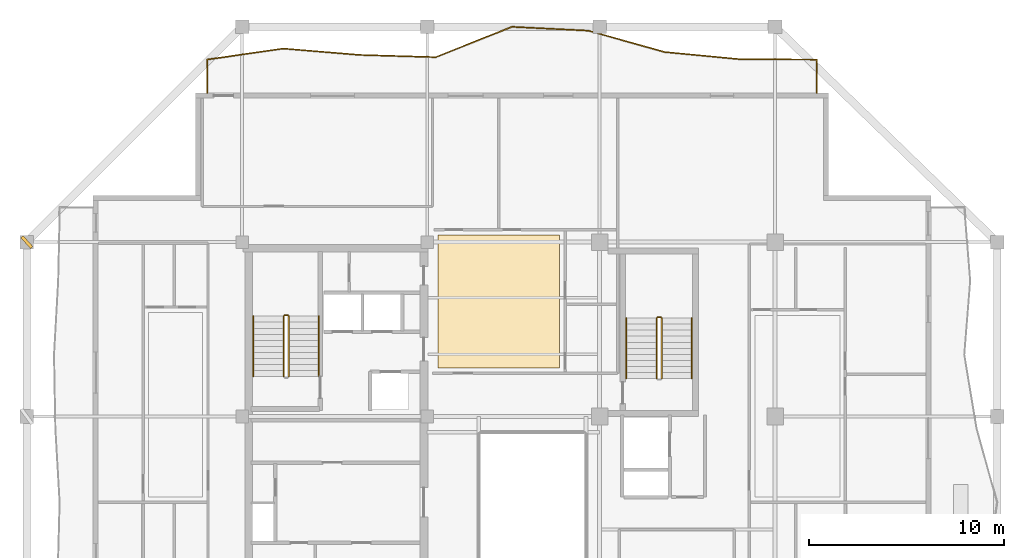
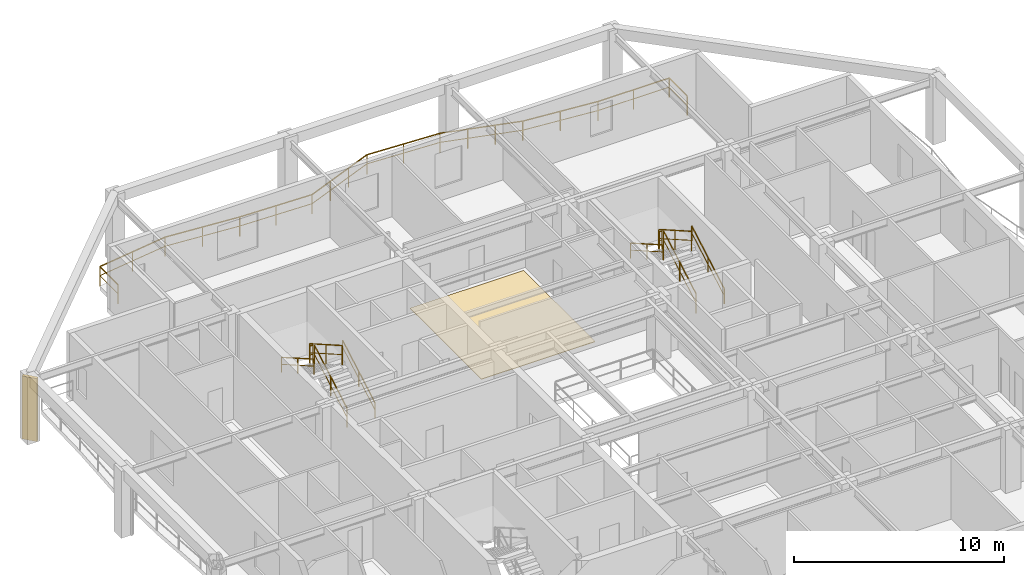
# One storey, part 10 of 11: 11 railings, 1 covering, 1 shading device.
"""IFC4 building model written with IfcOpenShell, lengths in metres."""

from ifc_helpers import new_model, si_unit, direction, frame, origin, origin_2d, place, context, subcontext, project, spatial, polyline, rectangle, outline, extrude, material, layer, layer_set, type_object, element, save


model = new_model("IFC4")

# Units and contexts
model_context = context("Model", 3, precision=1e-05, world=origin(), true_north=direction((0.0, 1.0)))
body_context = subcontext(model_context, "Body", "Model", "MODEL_VIEW")
ifc_project = project(units=[si_unit("LENGTHUNIT", "METRE"), si_unit("AREAUNIT", "SQUARE_METRE"), si_unit("VOLUMEUNIT", "CUBIC_METRE"), si_unit("PLANEANGLEUNIT", "RADIAN"), si_unit("MASSUNIT", "GRAM", prefix="KILO")], contexts=[model_context])

# Site, building, storey
site_placement = place(None, origin())
site = spatial("IfcSite", under=ifc_project, at=site_placement, CompositionType="ELEMENT")
building_placement = place(site_placement, origin())
building = spatial("IfcBuilding", under=site, at=building_placement, Name="Kundavana Baori Tower", CompositionType="ELEMENT")
storey_placement = place(building_placement, frame((0.0, 0.0, 218.0)))
storey = spatial("IfcBuildingStorey", under=building, at=storey_placement, Name="L53", CompositionType="ELEMENT", Elevation=218.0)

# Covering
ifc_material_1 = material(Name="Honed Kota Stone and Terrazzo Flooring", Category="masonry")
ifc_layer = layer(ifc_material_1, 0.030029296875, Name="COV-INT-FLR")
ifc_layer_set = layer_set([ifc_layer], Name="Honed Kota Stone and Terrazzo Flooring")
covering_type = type_object("IfcCoveringType", Name="COV-INT-FLR", PredefinedType="FLOORING", material=ifc_layer_set)
covering_placement = place(storey_placement, origin())
element("IfcCovering", 1, at=covering_placement, inside=storey, type_object=covering_type, Name="L53 Room Finished Stone Flooring 4", PredefinedType="FLOORING", context=body_context, shape_type="SweptSolid", body=[
    extrude(outline(polyline([(25.5, 35.5), (31.75, 35.5), (31.75, 42.31005859375), (25.5, 42.31005859375), (25.5, 35.5)])), origin(), (0.0, 0.0, 1.0), 0.030029296875),
])

# Railings
ifc_material_2 = material(Name="Architectural Patinated Bronze Metalwork")
railing_type_1 = type_object("IfcRailingType", Name="RL-BAL-1150", PredefinedType="BALUSTRADE", material=ifc_material_2)
railing_1_placement = place(storey_placement, frame((13.64990234375, 49.60009765625, 0.0)))
element("IfcRailing", 2, at=railing_1_placement, inside=storey, type_object=railing_type_1, Name="L53 Loggia Balcony Balustrade N", PredefinedType="BALUSTRADE", context=body_context, shape_type="SweptSolid", body=[
    extrude(rectangle(XDim=0.048095703125, YDim=0.048095703125, at=origin_2d()), frame((0.0, 0.0, 1.1259765625), z_axis=(0.0, 1.0, 0.0), x_axis=(-1.0, 0.0, 0.0)), (0.0, 0.0, 1.0), 1.719970703125),
    extrude(rectangle(XDim=0.03125, YDim=0.03125, at=origin_2d()), frame((0.0, 0.0, 0.597900390625), z_axis=(0.0, 1.0, 0.0), x_axis=(-1.0, 0.0, 0.0)), (0.0, 0.0, 1.0), 1.719970703125),
    extrude(rectangle(XDim=0.048095703125, YDim=0.048095703125, at=origin_2d()), frame((0.0, 1.719970703125, 1.1259765625), z_axis=(0.989768326395, 0.142683776459, 0.0), x_axis=(-0.142683776459, 0.989768326395, 0.0)), (0.0, 0.0, 1.0), 3.95263671875),
    extrude(rectangle(XDim=0.03125, YDim=0.03125, at=origin_2d()), frame((0.0, 1.719970703125, 0.597900390625), z_axis=(0.989768326395, 0.142683776459, 0.0), x_axis=(-0.142683776459, 0.989768326395, 0.0)), (0.0, 0.0, 1.0), 3.95263671875),
    extrude(rectangle(XDim=0.048095703125, YDim=0.048095703125, at=origin_2d()), frame((3.912109375, 2.283935546875, 1.1259765625), z_axis=(0.996549187768, -0.083004315303, 0.0), x_axis=(0.083004315303, 0.996549187768, 0.0)), (0.0, 0.0, 1.0), 3.9267578125),
    extrude(rectangle(XDim=0.03125, YDim=0.03125, at=origin_2d()), frame((3.912109375, 2.283935546875, 0.597900390625), z_axis=(0.996549187768, -0.083004315303, 0.0), x_axis=(0.083004315303, 0.996549187768, 0.0)), (0.0, 0.0, 1.0), 3.9267578125),
    extrude(rectangle(XDim=0.048095703125, YDim=0.048095703125, at=origin_2d()), frame((7.8251953125, 1.9580078125, 1.1259765625), z_axis=(0.999568454942, -0.029375225699, 0.0), x_axis=(0.029375225699, 0.999568454942, 0.0)), (0.0, 0.0, 1.0), 3.91455078125),
    extrude(rectangle(XDim=0.03125, YDim=0.03125, at=origin_2d()), frame((7.8251953125, 1.9580078125, 0.597900390625), z_axis=(0.999568454942, -0.029375225699, 0.0), x_axis=(0.029375225699, 0.999568454942, 0.0)), (0.0, 0.0, 1.0), 3.91455078125),
    extrude(rectangle(XDim=0.048095703125, YDim=0.048095703125, at=origin_2d()), frame((11.738037109375, 1.843017578125, 1.1259765625), z_axis=(0.929127075061, 0.369760569001, 0.0), x_axis=(-0.369760569001, 0.929127075061, 0.0)), (0.0, 0.0, 1.0), 4.21044921875),
    extrude(rectangle(XDim=0.03125, YDim=0.03125, at=origin_2d()), frame((11.738037109375, 1.843017578125, 0.597900390625), z_axis=(0.929127075061, 0.369760569001, 0.0), x_axis=(-0.369760569001, 0.929127075061, 0.0)), (0.0, 0.0, 1.0), 4.21044921875),
    extrude(rectangle(XDim=0.048095703125, YDim=0.048095703125, at=origin_2d()), frame((15.650146484375, 3.39990234375, 1.1259765625), z_axis=(0.998734716826, -0.050288819896, 0.0), x_axis=(0.050288819896, 0.998734716826, 0.0)), (0.0, 0.0, 1.0), 3.917724609375),
    extrude(rectangle(XDim=0.03125, YDim=0.03125, at=origin_2d()), frame((15.650146484375, 3.39990234375, 0.597900390625), z_axis=(0.998734716826, -0.050288819896, 0.0), x_axis=(0.050288819896, 0.998734716826, 0.0)), (0.0, 0.0, 1.0), 3.917724609375),
    extrude(rectangle(XDim=0.048095703125, YDim=0.048095703125, at=origin_2d()), frame((19.56298828125, 3.202880859375, 1.1259765625), z_axis=(0.962990853418, -0.26953407249, 0.0), x_axis=(0.26953407249, 0.962990853418, 0.0)), (0.0, 0.0, 1.0), 4.0625),
    extrude(rectangle(XDim=0.03125, YDim=0.03125, at=origin_2d()), frame((19.56298828125, 3.202880859375, 0.597900390625), z_axis=(0.962990853418, -0.26953407249, 0.0), x_axis=(0.26953407249, 0.962990853418, 0.0)), (0.0, 0.0, 1.0), 4.0625),
    extrude(rectangle(XDim=0.048095703125, YDim=0.048095703125, at=origin_2d()), frame((23.47509765625, 2.10791015625, 1.1259765625), z_axis=(0.995439474147, -0.095395247834, 0.0), x_axis=(0.095395247834, 0.995439474147, 0.0)), (0.0, 0.0, 1.0), 3.930908203125),
    extrude(rectangle(XDim=0.03125, YDim=0.03125, at=origin_2d()), frame((23.47509765625, 2.10791015625, 0.597900390625), z_axis=(0.995439474147, -0.095395247834, 0.0), x_axis=(0.095395247834, 0.995439474147, 0.0)), (0.0, 0.0, 1.0), 3.930908203125),
    extrude(rectangle(XDim=0.048095703125, YDim=0.048095703125, at=origin_2d()), frame((27.38818359375, 1.73291015625, 1.1259765625), z_axis=(0.999994529456, -0.003307727021, 0.0), x_axis=(0.003307727021, 0.999994529456, 0.0)), (0.0, 0.0, 1.0), 3.911865234375),
    extrude(rectangle(XDim=0.03125, YDim=0.03125, at=origin_2d()), frame((27.38818359375, 1.73291015625, 0.597900390625), z_axis=(0.999994529456, -0.003307727021, 0.0), x_axis=(0.003307727021, 0.999994529456, 0.0)), (0.0, 0.0, 1.0), 3.911865234375),
    extrude(rectangle(XDim=0.048095703125, YDim=0.048095703125, at=origin_2d()), frame((31.300048828125, 1.719970703125, 1.1259765625), z_axis=(0.0, -1.0, 0.0), x_axis=(1.0, 0.0, 0.0)), (0.0, 0.0, 1.0), 1.719970703125),
    extrude(rectangle(XDim=0.03125, YDim=0.03125, at=origin_2d()), frame((31.300048828125, 1.719970703125, 0.597900390625), z_axis=(0.0, -1.0, 0.0), x_axis=(1.0, 0.0, 0.0)), (0.0, 0.0, 1.0), 1.719970703125),
    extrude(rectangle(XDim=0.0419921875, YDim=0.0419921875, at=origin_2d()), origin(), (0.0, 0.0, 1.0), 1.101806640625),
    extrude(rectangle(XDim=0.0419921875, YDim=0.0419921875, at=origin_2d()), frame((0.0, 1.719970703125, 0.0)), (0.0, 0.0, 1.0), 1.101806640625),
    extrude(rectangle(XDim=0.0419921875, YDim=0.0419921875, at=origin_2d()), frame((1.9560546875, 2.001953125, 0.0)), (0.0, 0.0, 1.0), 1.101806640625),
    extrude(rectangle(XDim=0.0419921875, YDim=0.0419921875, at=origin_2d()), frame((3.912109375, 2.283935546875, 0.0)), (0.0, 0.0, 1.0), 1.101806640625),
    extrude(rectangle(XDim=0.0419921875, YDim=0.0419921875, at=origin_2d()), frame((5.86865234375, 2.12109375, 0.0)), (0.0, 0.0, 1.0), 1.101806640625),
    extrude(rectangle(XDim=0.0419921875, YDim=0.0419921875, at=origin_2d()), frame((7.8251953125, 1.9580078125, 0.0)), (0.0, 0.0, 1.0), 1.101806640625),
    extrude(rectangle(XDim=0.0419921875, YDim=0.0419921875, at=origin_2d()), frame((9.78173828125, 1.900390625, 0.0)), (0.0, 0.0, 1.0), 1.101806640625),
    extrude(rectangle(XDim=0.0419921875, YDim=0.0419921875, at=origin_2d()), frame((11.738037109375, 1.843017578125, 0.0)), (0.0, 0.0, 1.0), 1.101806640625),
    extrude(rectangle(XDim=0.0419921875, YDim=0.0419921875, at=origin_2d()), frame((13.0419921875, 2.362060546875, 0.0)), (0.0, 0.0, 1.0), 1.101806640625),
    extrude(rectangle(XDim=0.0419921875, YDim=0.0419921875, at=origin_2d()), frame((14.34619140625, 2.880859375, 0.0)), (0.0, 0.0, 1.0), 1.101806640625),
    extrude(rectangle(XDim=0.0419921875, YDim=0.0419921875, at=origin_2d()), frame((15.650146484375, 3.39990234375, 0.0)), (0.0, 0.0, 1.0), 1.101806640625),
    extrude(rectangle(XDim=0.0419921875, YDim=0.0419921875, at=origin_2d()), frame((17.6064453125, 3.30126953125, 0.0)), (0.0, 0.0, 1.0), 1.101806640625),
    extrude(rectangle(XDim=0.0419921875, YDim=0.0419921875, at=origin_2d()), frame((19.56298828125, 3.202880859375, 0.0)), (0.0, 0.0, 1.0), 1.101806640625),
    extrude(rectangle(XDim=0.0419921875, YDim=0.0419921875, at=origin_2d()), frame((20.866943359375, 2.837890625, 0.0)), (0.0, 0.0, 1.0), 1.101806640625),
    extrude(rectangle(XDim=0.0419921875, YDim=0.0419921875, at=origin_2d()), frame((22.171142578125, 2.472900390625, 0.0)), (0.0, 0.0, 1.0), 1.101806640625),
    extrude(rectangle(XDim=0.0419921875, YDim=0.0419921875, at=origin_2d()), frame((23.47509765625, 2.10791015625, 0.0)), (0.0, 0.0, 1.0), 1.101806640625),
    extrude(rectangle(XDim=0.0419921875, YDim=0.0419921875, at=origin_2d()), frame((25.431640625, 1.92041015625, 0.0)), (0.0, 0.0, 1.0), 1.101806640625),
    extrude(rectangle(XDim=0.0419921875, YDim=0.0419921875, at=origin_2d()), frame((27.38818359375, 1.73291015625, 0.0)), (0.0, 0.0, 1.0), 1.101806640625),
    extrude(rectangle(XDim=0.0419921875, YDim=0.0419921875, at=origin_2d()), frame((29.34423828125, 1.7265625, 0.0)), (0.0, 0.0, 1.0), 1.101806640625),
    extrude(rectangle(XDim=0.0419921875, YDim=0.0419921875, at=origin_2d()), frame((31.300048828125, 1.719970703125, 0.0)), (0.0, 0.0, 1.0), 1.101806640625),
    extrude(rectangle(XDim=0.0419921875, YDim=0.0419921875, at=origin_2d()), frame((31.300048828125, 0.0, 0.0)), (0.0, 0.0, 1.0), 1.101806640625),
])
ifc_material_3 = material(Name="Architectural Patinated Bronze Metalwork")
railing_type_2 = type_object("IfcRailingType", Name="RL-GRD-1150", PredefinedType="GUARDRAIL", material=ifc_material_3)
railing_2_placement = place(storey_placement, frame((17.840087890625, 35.050048828125, 0.17724609375)))
element("IfcRailing", 3, at=railing_2_placement, inside=storey, type_object=railing_type_2, Name="L53 ST2 stair guard 1", PredefinedType="GUARDRAIL", context=body_context, shape_type="SweptSolid", body=[
    extrude(rectangle(XDim=0.048095703125, YDim=0.048095703125, at=origin_2d()), frame((0.0, 0.0, 1.1259765625), z_axis=(0.0, 0.868079009454, 0.496426060301), x_axis=(-1.0, 0.0, 0.0)), (0.0, 0.0, 1.0), 3.571044921875),
    extrude(rectangle(XDim=0.03125, YDim=0.03125, at=origin_2d()), frame((0.0, 0.0, 0.597900390625), z_axis=(0.0, 0.868079009454, 0.496426060301), x_axis=(-1.0, 0.0, 0.0)), (0.0, 0.0, 1.0), 3.571044921875),
    extrude(rectangle(XDim=0.0419921875, YDim=0.0419921875, at=origin_2d()), origin(), (0.0, 0.0, 1.0), 1.101806640625),
    extrude(rectangle(XDim=0.0419921875, YDim=0.0419921875, at=origin_2d()), frame((0.0, 1.5498046875, 0.88623046875)), (0.0, 0.0, 1.0), 1.101806640625),
    extrude(rectangle(XDim=0.0419921875, YDim=0.0419921875, at=origin_2d()), frame((0.0, 3.099853515625, 1.772705078125)), (0.0, 0.0, 1.0), 1.101806640625),
])
railing_3_placement = place(storey_placement, frame((17.7900390625, 38.199951171875, 1.949951171875)))
element("IfcRailing", 4, at=railing_3_placement, inside=storey, type_object=railing_type_2, Name="L53 ST2 stair guard 2", PredefinedType="GUARDRAIL", context=body_context, shape_type="SweptSolid", body=[
    extrude(rectangle(XDim=0.048095703125, YDim=0.048095703125, at=origin_2d()), frame((0.0, 0.0, 1.1259765625), z_axis=(-1.0, 0.0, 0.0), x_axis=(0.0, -1.0, 0.0)), (0.0, 0.0, 1.0), 0.16015625),
    extrude(rectangle(XDim=0.03125, YDim=0.03125, at=origin_2d()), frame((0.0, 0.0, 0.597900390625), z_axis=(-1.0, 0.0, 0.0), x_axis=(0.0, -1.0, 0.0)), (0.0, 0.0, 1.0), 0.16015625),
    extrude(rectangle(XDim=0.0419921875, YDim=0.0419921875, at=origin_2d()), origin(), (0.0, 0.0, 1.0), 1.101806640625),
    extrude(rectangle(XDim=0.0419921875, YDim=0.0419921875, at=origin_2d()), frame((-0.16015625, 0.0, 0.0)), (0.0, 0.0, 1.0), 1.101806640625),
])
railing_4_placement = place(storey_placement, frame((17.580078125, 38.14990234375, 2.127197265625)))
element("IfcRailing", 5, at=railing_4_placement, inside=storey, type_object=railing_type_2, Name="L53 ST2 stair guard 3", PredefinedType="GUARDRAIL", context=body_context, shape_type="SweptSolid", body=[
    extrude(rectangle(XDim=0.048095703125, YDim=0.048095703125, at=origin_2d()), frame((0.0, 0.0, 1.1259765625), z_axis=(0.0, -0.868079009454, 0.496426060301), x_axis=(1.0, 0.0, 0.0)), (0.0, 0.0, 1.0), 3.571044921875),
    extrude(rectangle(XDim=0.03125, YDim=0.03125, at=origin_2d()), frame((0.0, 0.0, 0.597900390625), z_axis=(0.0, -0.868079009454, 0.496426060301), x_axis=(1.0, 0.0, 0.0)), (0.0, 0.0, 1.0), 3.571044921875),
    extrude(rectangle(XDim=0.0419921875, YDim=0.0419921875, at=origin_2d()), origin(), (0.0, 0.0, 1.0), 1.101806640625),
    extrude(rectangle(XDim=0.0419921875, YDim=0.0419921875, at=origin_2d()), frame((0.0, -1.5498046875, 0.88623046875)), (0.0, 0.0, 1.0), 1.101806640625),
    extrude(rectangle(XDim=0.0419921875, YDim=0.0419921875, at=origin_2d()), frame((0.0, -3.099853515625, 1.772705078125)), (0.0, 0.0, 1.0), 1.101806640625),
])
railing_5_placement = place(storey_placement, frame((36.97998046875, 34.949951171875, 0.17724609375)))
element("IfcRailing", 6, at=railing_5_placement, inside=storey, type_object=railing_type_2, Name="L53 ST3 stair guard 1", PredefinedType="GUARDRAIL", context=body_context, shape_type="SweptSolid", body=[
    extrude(rectangle(XDim=0.048095703125, YDim=0.048095703125, at=origin_2d()), frame((0.0, 0.0, 1.1259765625), z_axis=(0.0, 0.868095856688, 0.496396599103), x_axis=(-1.0, 0.0, 0.0)), (0.0, 0.0, 1.0), 3.571044921875),
    extrude(rectangle(XDim=0.03125, YDim=0.03125, at=origin_2d()), frame((0.0, 0.0, 0.597900390625), z_axis=(0.0, 0.868095856688, 0.496396599103), x_axis=(-1.0, 0.0, 0.0)), (0.0, 0.0, 1.0), 3.571044921875),
    extrude(rectangle(XDim=0.0419921875, YDim=0.0419921875, at=origin_2d()), origin(), (0.0, 0.0, 1.0), 1.101806640625),
    extrude(rectangle(XDim=0.0419921875, YDim=0.0419921875, at=origin_2d()), frame((0.0, 1.550048828125, 0.88623046875)), (0.0, 0.0, 1.0), 1.101806640625),
    extrude(rectangle(XDim=0.0419921875, YDim=0.0419921875, at=origin_2d()), frame((0.0, 3.10009765625, 1.772705078125)), (0.0, 0.0, 1.0), 1.101806640625),
])
railing_6_placement = place(storey_placement, frame((36.929931640625, 38.10009765625, 1.949951171875)))
element("IfcRailing", 7, at=railing_6_placement, inside=storey, type_object=railing_type_2, Name="L53 ST3 stair guard 2", PredefinedType="GUARDRAIL", context=body_context, shape_type="SweptSolid", body=[
    extrude(rectangle(XDim=0.048095703125, YDim=0.048095703125, at=origin_2d()), frame((0.0, 0.0, 1.1259765625), z_axis=(-1.0, 0.0, 0.0), x_axis=(0.0, -1.0, 0.0)), (0.0, 0.0, 1.0), 0.159912109375),
    extrude(rectangle(XDim=0.03125, YDim=0.03125, at=origin_2d()), frame((0.0, 0.0, 0.597900390625), z_axis=(-1.0, 0.0, 0.0), x_axis=(0.0, -1.0, 0.0)), (0.0, 0.0, 1.0), 0.159912109375),
    extrude(rectangle(XDim=0.0419921875, YDim=0.0419921875, at=origin_2d()), origin(), (0.0, 0.0, 1.0), 1.101806640625),
    extrude(rectangle(XDim=0.0419921875, YDim=0.0419921875, at=origin_2d()), frame((-0.159912109375, 0.0, 0.0)), (0.0, 0.0, 1.0), 1.101806640625),
])
railing_7_placement = place(storey_placement, frame((36.719970703125, 38.050048828125, 2.127197265625)))
element("IfcRailing", 8, at=railing_7_placement, inside=storey, type_object=railing_type_2, Name="L53 ST3 stair guard 3", PredefinedType="GUARDRAIL", context=body_context, shape_type="SweptSolid", body=[
    extrude(rectangle(XDim=0.048095703125, YDim=0.048095703125, at=origin_2d()), frame((0.0, 0.0, 1.1259765625), z_axis=(0.0, -0.868095856688, 0.496396599103), x_axis=(1.0, 0.0, 0.0)), (0.0, 0.0, 1.0), 3.571044921875),
    extrude(rectangle(XDim=0.03125, YDim=0.03125, at=origin_2d()), frame((0.0, 0.0, 0.597900390625), z_axis=(0.0, -0.868095856688, 0.496396599103), x_axis=(1.0, 0.0, 0.0)), (0.0, 0.0, 1.0), 3.571044921875),
    extrude(rectangle(XDim=0.0419921875, YDim=0.0419921875, at=origin_2d()), origin(), (0.0, 0.0, 1.0), 1.101806640625),
    extrude(rectangle(XDim=0.0419921875, YDim=0.0419921875, at=origin_2d()), frame((0.0, -1.550048828125, 0.88623046875)), (0.0, 0.0, 1.0), 1.101806640625),
    extrude(rectangle(XDim=0.0419921875, YDim=0.0419921875, at=origin_2d()), frame((0.0, -3.10009765625, 1.772705078125)), (0.0, 0.0, 1.0), 1.101806640625),
])
ifc_material_4 = material(Name="Architectural Patinated Bronze Metalwork")
railing_type_3 = type_object("IfcRailingType", Name="RL-HND-920", PredefinedType="HANDRAIL", material=ifc_material_4)
railing_8_placement = place(storey_placement, frame((19.389892578125, 35.050048828125, 0.17724609375)))
element("IfcRailing", 9, at=railing_8_placement, inside=storey, type_object=railing_type_3, Name="L53 ST2 stair handrail 1", PredefinedType="HANDRAIL", context=body_context, shape_type="SweptSolid", body=[
    extrude(rectangle(XDim=0.048095703125, YDim=0.048095703125, at=origin_2d()), frame((0.0, 0.0, 0.8759765625), z_axis=(0.0, 0.868079009454, 0.496426060301), x_axis=(-1.0, 0.0, 0.0)), (0.0, 0.0, 1.0), 3.571044921875),
    extrude(rectangle(XDim=0.03125, YDim=0.03125, at=origin_2d()), frame((0.0, 0.0, 0.468017578125), z_axis=(0.0, 0.868079009454, 0.496426060301), x_axis=(-1.0, 0.0, 0.0)), (0.0, 0.0, 1.0), 3.571044921875),
    extrude(rectangle(XDim=0.0419921875, YDim=0.0419921875, at=origin_2d()), origin(), (0.0, 0.0, 1.0), 0.851806640625),
    extrude(rectangle(XDim=0.0419921875, YDim=0.0419921875, at=origin_2d()), frame((0.0, 1.5498046875, 0.88623046875)), (0.0, 0.0, 1.0), 0.851806640625),
    extrude(rectangle(XDim=0.0419921875, YDim=0.0419921875, at=origin_2d()), frame((0.0, 3.099853515625, 1.772705078125)), (0.0, 0.0, 1.0), 0.851806640625),
])
railing_9_placement = place(storey_placement, frame((16.030029296875, 38.14990234375, 2.127197265625)))
element("IfcRailing", 10, at=railing_9_placement, inside=storey, type_object=railing_type_3, Name="L53 ST2 stair handrail 2", PredefinedType="HANDRAIL", context=body_context, shape_type="SweptSolid", body=[
    extrude(rectangle(XDim=0.048095703125, YDim=0.048095703125, at=origin_2d()), frame((0.0, 0.0, 0.8759765625), z_axis=(0.0, -0.868079009454, 0.496426060301), x_axis=(1.0, 0.0, 0.0)), (0.0, 0.0, 1.0), 3.571044921875),
    extrude(rectangle(XDim=0.03125, YDim=0.03125, at=origin_2d()), frame((0.0, 0.0, 0.468017578125), z_axis=(0.0, -0.868079009454, 0.496426060301), x_axis=(1.0, 0.0, 0.0)), (0.0, 0.0, 1.0), 3.571044921875),
    extrude(rectangle(XDim=0.0419921875, YDim=0.0419921875, at=origin_2d()), origin(), (0.0, 0.0, 1.0), 0.851806640625),
    extrude(rectangle(XDim=0.0419921875, YDim=0.0419921875, at=origin_2d()), frame((0.0, -1.5498046875, 0.88623046875)), (0.0, 0.0, 1.0), 0.851806640625),
    extrude(rectangle(XDim=0.0419921875, YDim=0.0419921875, at=origin_2d()), frame((0.0, -3.099853515625, 1.772705078125)), (0.0, 0.0, 1.0), 0.851806640625),
])
railing_10_placement = place(storey_placement, frame((38.530029296875, 34.949951171875, 0.17724609375)))
element("IfcRailing", 11, at=railing_10_placement, inside=storey, type_object=railing_type_3, Name="L53 ST3 stair handrail 1", PredefinedType="HANDRAIL", context=body_context, shape_type="SweptSolid", body=[
    extrude(rectangle(XDim=0.048095703125, YDim=0.048095703125, at=origin_2d()), frame((0.0, 0.0, 0.8759765625), z_axis=(0.0, 0.868095856688, 0.496396599103), x_axis=(-1.0, 0.0, 0.0)), (0.0, 0.0, 1.0), 3.571044921875),
    extrude(rectangle(XDim=0.03125, YDim=0.03125, at=origin_2d()), frame((0.0, 0.0, 0.468017578125), z_axis=(0.0, 0.868095856688, 0.496396599103), x_axis=(-1.0, 0.0, 0.0)), (0.0, 0.0, 1.0), 3.571044921875),
    extrude(rectangle(XDim=0.0419921875, YDim=0.0419921875, at=origin_2d()), origin(), (0.0, 0.0, 1.0), 0.851806640625),
    extrude(rectangle(XDim=0.0419921875, YDim=0.0419921875, at=origin_2d()), frame((0.0, 1.550048828125, 0.88623046875)), (0.0, 0.0, 1.0), 0.851806640625),
    extrude(rectangle(XDim=0.0419921875, YDim=0.0419921875, at=origin_2d()), frame((0.0, 3.10009765625, 1.772705078125)), (0.0, 0.0, 1.0), 0.851806640625),
])
railing_11_placement = place(storey_placement, frame((35.169921875, 38.050048828125, 2.127197265625)))
element("IfcRailing", 12, at=railing_11_placement, inside=storey, type_object=railing_type_3, Name="L53 ST3 stair handrail 2", PredefinedType="HANDRAIL", context=body_context, shape_type="SweptSolid", body=[
    extrude(rectangle(XDim=0.048095703125, YDim=0.048095703125, at=origin_2d()), frame((0.0, 0.0, 0.8759765625), z_axis=(0.0, -0.868095856688, 0.496396599103), x_axis=(1.0, 0.0, 0.0)), (0.0, 0.0, 1.0), 3.571044921875),
    extrude(rectangle(XDim=0.03125, YDim=0.03125, at=origin_2d()), frame((0.0, 0.0, 0.468017578125), z_axis=(0.0, -0.868095856688, 0.496396599103), x_axis=(1.0, 0.0, 0.0)), (0.0, 0.0, 1.0), 3.571044921875),
    extrude(rectangle(XDim=0.0419921875, YDim=0.0419921875, at=origin_2d()), origin(), (0.0, 0.0, 1.0), 0.851806640625),
    extrude(rectangle(XDim=0.0419921875, YDim=0.0419921875, at=origin_2d()), frame((0.0, -1.550048828125, 0.88623046875)), (0.0, 0.0, 1.0), 0.851806640625),
    extrude(rectangle(XDim=0.0419921875, YDim=0.0419921875, at=origin_2d()), frame((0.0, -3.10009765625, 1.772705078125)), (0.0, 0.0, 1.0), 0.851806640625),
])

# Shading device
ifc_material_5 = material(Name="Red-Buff Dholpur Sandstone Cladding on Concrete C40/50", Category="masonry")
shading_device_type = type_object("IfcShadingDeviceType", Name="SHD-FIN-750", PredefinedType="JALOUSIE", material=ifc_material_5)
shading_device_placement = place(storey_placement, frame((4.39990234375, 41.949951171875, 0.0), z_axis=(0.0, 0.0, 1.0), x_axis=(0.744544618419, 0.667572701047, 0.0)))
element("IfcShadingDevice", 13, at=shading_device_placement, inside=storey, type_object=shading_device_type, Name="L53 Sweeping Dholpur Sandstone Facade Fin 8", PredefinedType="JALOUSIE", context=body_context, shape_type="SweptSolid", body=[
    extrude(rectangle(XDim=0.159912109375, YDim=0.75, at=origin_2d()), origin(), (0.0, 0.0, 1.0), 3.659912109375),
])

save(model, "model.ifc")
